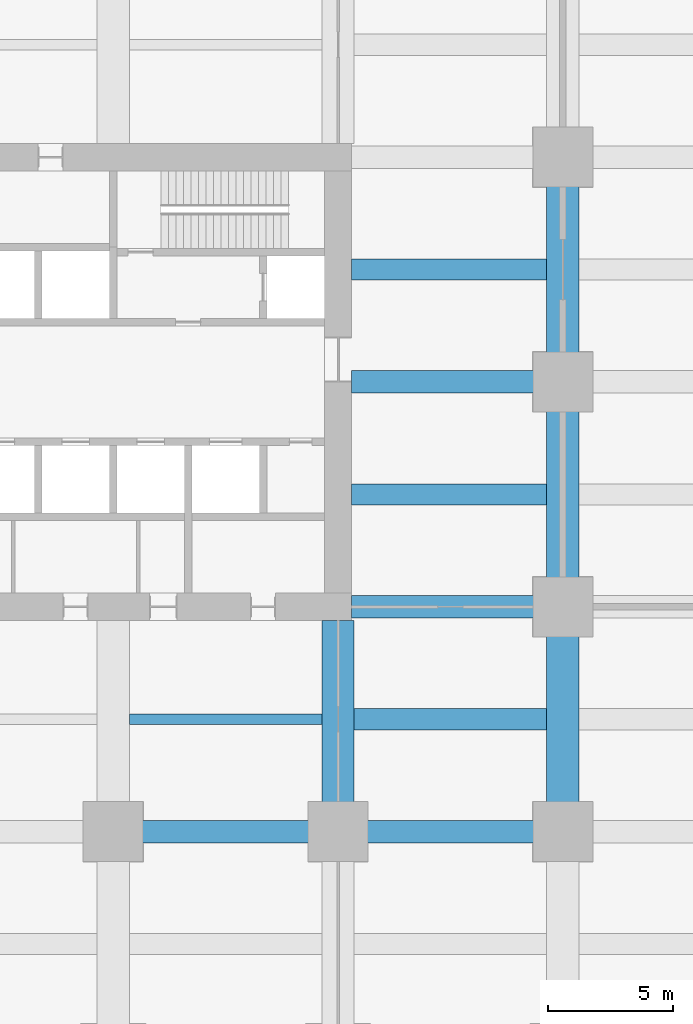
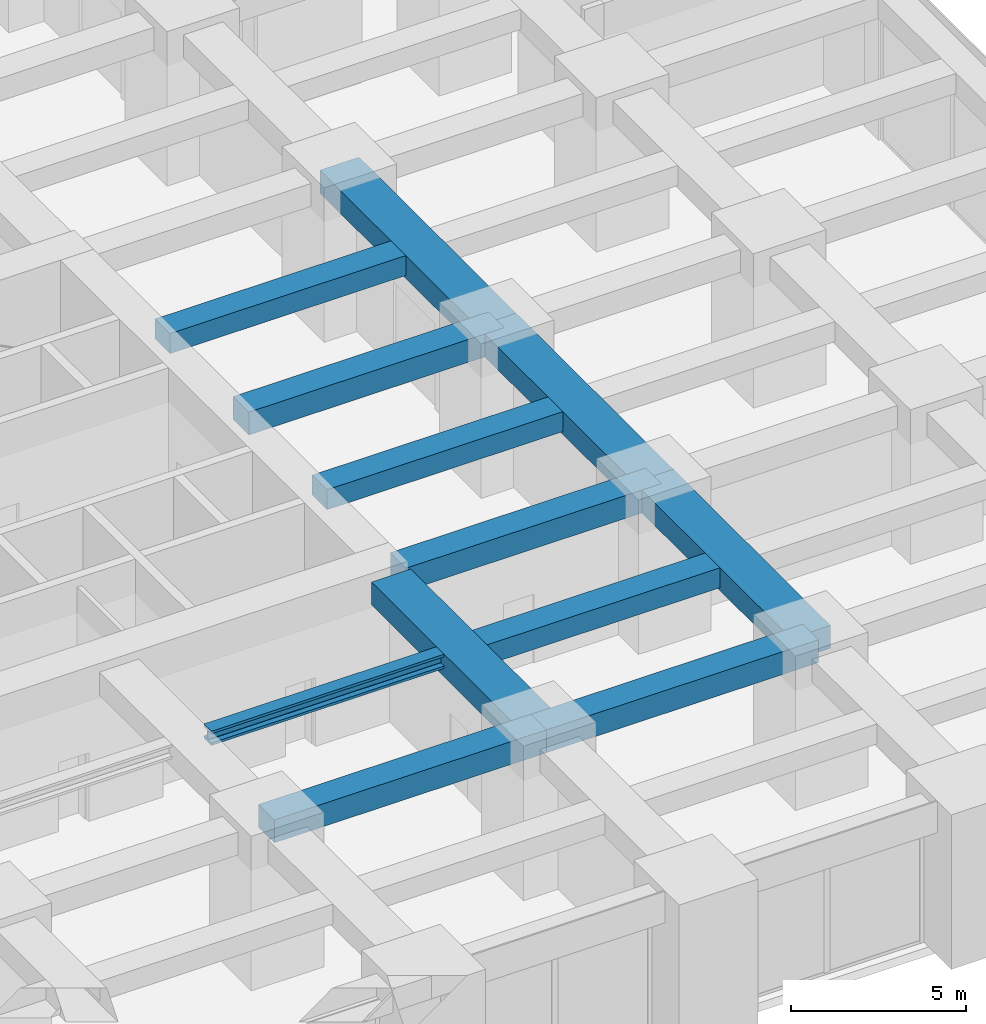
# One storey, part 17 of 45: 12 beams.
"""IFC4 building model written with IfcOpenShell, lengths in metres."""

from ifc_helpers import new_model, si_unit, direction, frame, origin, origin_2d, place, context, subcontext, project, spatial, rectangle, i_section, extrude, material, material_profile, profile_set, type_object, element, save


model = new_model("IFC4")

# Units and contexts
model_context = context("Model", 3, precision=1e-05, world=origin(), true_north=direction((0.0, 1.0)))
body_context = subcontext(model_context, "Body", "Model", "MODEL_VIEW")
ifc_project = project(units=[si_unit("LENGTHUNIT", "METRE"), si_unit("AREAUNIT", "SQUARE_METRE"), si_unit("VOLUMEUNIT", "CUBIC_METRE"), si_unit("PLANEANGLEUNIT", "RADIAN"), si_unit("MASSUNIT", "GRAM", prefix="KILO")], contexts=[model_context])

# Site, building, storey
site_placement = place(None, origin())
site = spatial("IfcSite", under=ifc_project, at=site_placement, CompositionType="ELEMENT")
building_placement = place(site_placement, origin())
building = spatial("IfcBuilding", under=site, at=building_placement, Name="Zorevar Civic Tower", CompositionType="ELEMENT")
storey_placement = place(building_placement, frame((0.0, 0.0, 5.39990234375)))
storey = spatial("IfcBuildingStorey", under=building, at=storey_placement, Name="L01", CompositionType="ELEMENT", Elevation=5.39990234375)

# Beams
ifc_material_1 = material(Name="Concrete C50/60", Category="concrete")
ifc_material_profile_1 = material_profile(ifc_material_1, rectangle(XDim=1.300048828125, YDim=0.800048828125, at=origin_2d()), Name="RC 1300x800")
ifc_profile_set_1 = profile_set([ifc_material_profile_1], Name="Concrete C50/60")
beam_type_1 = type_object("IfcBeamType", Name="Beam RC 1300x800", PredefinedType="BEAM", material=ifc_profile_set_1)
beam_1_placement = place(storey_placement, frame((45.0, 9.0, 4.7001953125), z_axis=(0.0, 1.0, 0.0), x_axis=(-1.0, 0.0, 0.0)))
element("IfcBeam", 1, at=beam_1_placement, inside=storey, type_object=beam_type_1, Name="Girder L02", PredefinedType="BEAM", context=body_context, shape_type="SweptSolid", body=[
    extrude(rectangle(XDim=1.300048828125, YDim=0.800048828125, at=origin_2d()), origin(), (0.0, 0.0, 1.0), 8.449951171875),
])
for number, where, z_axis, x_axis, name in (
    (2, (54.0, 9.0, 4.7001953125), (0.0, 1.0, 0.0), (-1.0, 0.0, 0.0), "Girder L02"),
    (3, (54.0, 18.0, 4.7001953125), (0.0, 1.0, 0.0), (-1.0, 0.0, 0.0), "Girder L02"),
    (4, (54.0, 27.0, 4.7001953125), (0.0, 1.0, 0.0), (-1.0, 0.0, 0.0), "Girder L02"),
):
    element("IfcBeam", number, at=place(storey_placement, frame(where, z_axis=z_axis, x_axis=x_axis)), inside=storey, type_object=beam_type_1, Name=name, PredefinedType="BEAM", context=body_context, shape_type="SweptSolid", body=[
        extrude(rectangle(XDim=1.300048828125, YDim=0.800048828125, at=origin_2d()), origin(), (0.0, 0.0, 1.0), 9.0),
    ])
ifc_material_2 = material(Name="Concrete C50/60", Category="concrete")
ifc_material_profile_2 = material_profile(ifc_material_2, rectangle(XDim=0.85009765625, YDim=0.699951171875, at=origin_2d()), Name="RC 850x700")
ifc_profile_set_2 = profile_set([ifc_material_profile_2], Name="Concrete C50/60")
beam_type_2 = type_object("IfcBeamType", Name="Beam RC 850x700", PredefinedType="BEAM", material=ifc_profile_set_2)
beam_2_placement = place(storey_placement, frame((45.64990234375, 13.5, 4.75), z_axis=(1.0, 0.0, 0.0), x_axis=(0.0, 1.0, 0.0)))
element("IfcBeam", 5, at=beam_2_placement, inside=storey, type_object=beam_type_2, Name="Secondary beam L02", PredefinedType="BEAM", context=body_context, shape_type="SweptSolid", body=[
    extrude(rectangle(XDim=0.85009765625, YDim=0.699951171875, at=origin_2d()), origin(), (0.0, 0.0, 1.0), 7.7001953125),
])
for number, where, z_axis, x_axis, name in (
    (6, (45.550048828125, 22.5, 4.75), (1.0, 0.0, 0.0), (0.0, 1.0, 0.0), "Secondary beam L02"),
    (7, (45.550048828125, 31.5, 4.75), (1.0, 0.0, 0.0), (0.0, 1.0, 0.0), "Secondary beam L02"),
):
    element("IfcBeam", number, at=place(storey_placement, frame(where, z_axis=z_axis, x_axis=x_axis)), inside=storey, type_object=beam_type_2, Name=name, PredefinedType="BEAM", context=body_context, shape_type="SweptSolid", body=[
        extrude(rectangle(XDim=0.85009765625, YDim=0.699951171875, at=origin_2d()), origin(), (0.0, 0.0, 1.0), 7.800048828125),
    ])
ifc_material_3 = material(Name="Concrete C50/60", Category="concrete")
ifc_material_profile_3 = material_profile(ifc_material_3, rectangle(XDim=0.89990234375, YDim=0.800048828125, at=origin_2d()), Name="RC 900x800")
ifc_profile_set_3 = profile_set([ifc_material_profile_3], Name="Concrete C50/60")
beam_type_3 = type_object("IfcBeamType", Name="Beam RC 900x800", PredefinedType="BEAM", material=ifc_profile_set_3)
for number, where, z_axis, x_axis, name in (
    (8, (36.0, 9.0, 4.7001953125), (1.0, 0.0, 0.0), (0.0, 1.0, 0.0), "Girder L02"),
    (9, (45.0, 9.0, 4.7001953125), (1.0, 0.0, 0.0), (0.0, 1.0, 0.0), "Girder L02"),
):
    element("IfcBeam", number, at=place(storey_placement, frame(where, z_axis=z_axis, x_axis=x_axis)), inside=storey, type_object=beam_type_3, Name=name, PredefinedType="BEAM", context=body_context, shape_type="SweptSolid", body=[
        extrude(rectangle(XDim=0.89990234375, YDim=0.800048828125, at=origin_2d()), origin(), (0.0, 0.0, 1.0), 9.0),
    ])
for number, where, z_axis, x_axis, name in (
    (10, (45.550048828125, 18.0, 4.7001953125), (1.0, 0.0, 0.0), (0.0, 1.0, 0.0), "Girder L02"),
    (11, (45.550048828125, 27.0, 4.7001953125), (1.0, 0.0, 0.0), (0.0, 1.0, 0.0), "Girder L02"),
):
    element("IfcBeam", number, at=place(storey_placement, frame(where, z_axis=z_axis, x_axis=x_axis)), inside=storey, type_object=beam_type_3, Name=name, PredefinedType="BEAM", context=body_context, shape_type="SweptSolid", body=[
        extrude(rectangle(XDim=0.89990234375, YDim=0.800048828125, at=origin_2d()), origin(), (0.0, 0.0, 1.0), 8.449951171875),
    ])
ifc_material_4 = material(Name="Steel S460M (HISTAR 460)", Category="steel")
ifc_material_profile_4 = material_profile(ifc_material_4, i_section(OverallWidth=0.431884765625, OverallDepth=0.498046875, WebThickness=0.0556640625, FlangeThickness=0.0888671875, FilletRadius=0.014892578125, at=origin_2d()), Name="HD 400x744")
ifc_profile_set_4 = profile_set([ifc_material_profile_4], Name="Steel S460M (HISTAR 460)")
beam_type_4 = type_object("IfcBeamType", Name="Core bay beam HD 400x744", PredefinedType="BEAM", material=ifc_profile_set_4)
beam_3_placement = place(storey_placement, frame((36.64990234375, 13.5, 4.85107421875), z_axis=(1.0, 0.0, 0.0), x_axis=(0.0, 1.0, 0.0)))
element("IfcBeam", 12, at=beam_3_placement, inside=storey, type_object=beam_type_4, Name="Secondary beam L02", PredefinedType="BEAM", context=body_context, shape_type="SweptSolid", body=[
    extrude(i_section(OverallWidth=0.431884765625, OverallDepth=0.498046875, WebThickness=0.0556640625, FlangeThickness=0.0888671875, FilletRadius=0.014892578125, at=origin_2d()), origin(), (0.0, 0.0, 1.0), 7.7001953125),
])

save(model, "model.ifc")
